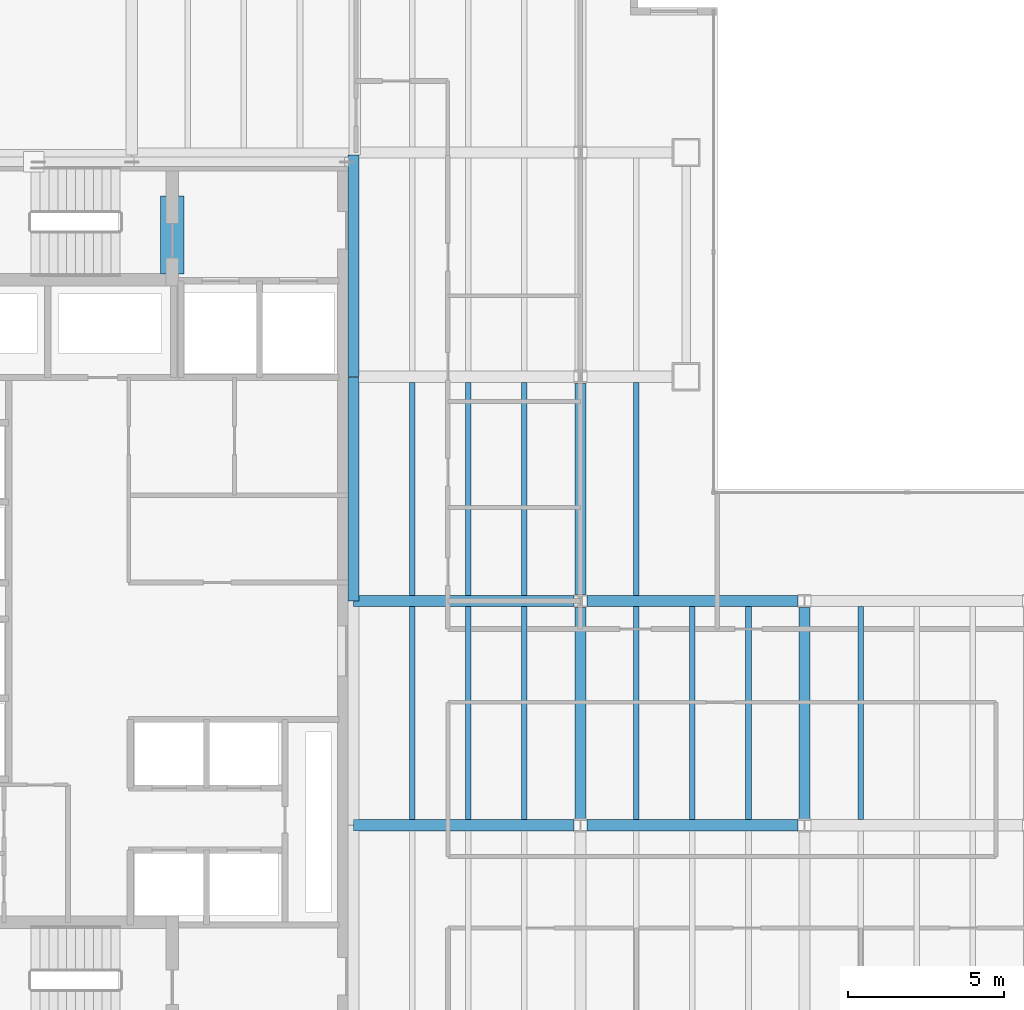
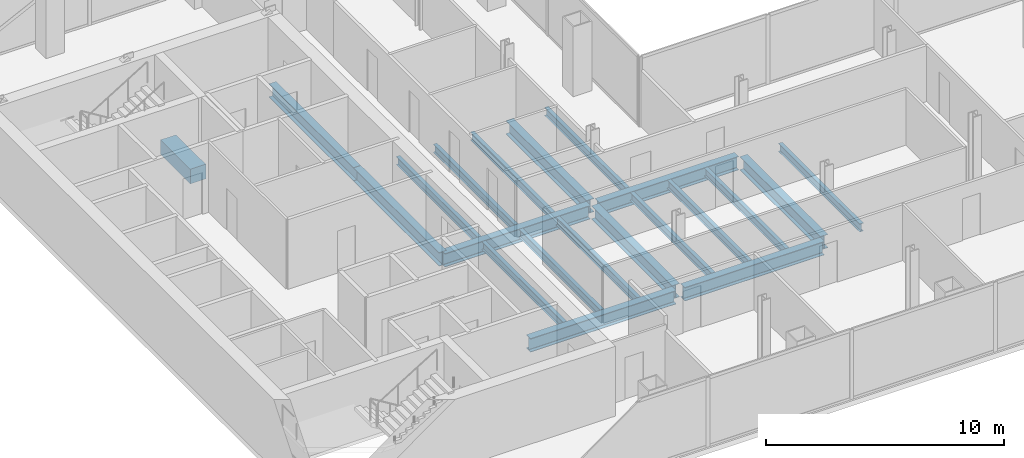
# One storey, part 6 of 24: 21 beams.
"""IFC4 building model written with IfcOpenShell, lengths in metres."""

from ifc_helpers import new_model, si_unit, direction, frame, origin, origin_2d, place, context, subcontext, project, spatial, rectangle, i_section, extrude, material, material_profile, profile_set, type_object, element, save


model = new_model("IFC4")

# Units and contexts
model_context = context("Model", 3, precision=1e-05, world=origin(), true_north=direction((0.0, 1.0)))
body_context = subcontext(model_context, "Body", "Model", "MODEL_VIEW")
ifc_project = project(units=[si_unit("LENGTHUNIT", "METRE"), si_unit("AREAUNIT", "SQUARE_METRE"), si_unit("VOLUMEUNIT", "CUBIC_METRE"), si_unit("PLANEANGLEUNIT", "RADIAN"), si_unit("MASSUNIT", "GRAM", prefix="KILO")], contexts=[model_context])

# Site, building, storey
site_placement = place(None, origin())
site = spatial("IfcSite", under=ifc_project, at=site_placement, CompositionType="ELEMENT")
building_placement = place(site_placement, origin())
building = spatial("IfcBuilding", under=site, at=building_placement, Name="Cobrela Telecom Tower", CompositionType="ELEMENT")
storey_placement = place(building_placement, frame((0.0, 0.0, 136.85009765625)))
storey = spatial("IfcBuildingStorey", under=building, at=storey_placement, Name="L34", CompositionType="ELEMENT", Elevation=136.85009765625)

# Beams
ifc_material_1 = material(Name="Concrete C40/50", Category="concrete")
ifc_material_profile_1 = material_profile(ifc_material_1, rectangle(XDim=0.75, YDim=0.75, at=origin_2d()), Name="RC 750x750")
ifc_profile_set_1 = profile_set([ifc_material_profile_1], Name="Concrete C40/50")
beam_type_1 = type_object("IfcBeamType", Name="BM-COUP-RC", PredefinedType="LINTEL", material=ifc_profile_set_1)
beam_1_placement = place(storey_placement, frame((8.5, 32.10009765625, -0.6201171875), z_axis=(0.0, 1.0, 0.0), x_axis=(-1.0, 0.0, 0.0)))
element("IfcBeam", 1, at=beam_1_placement, inside=storey, type_object=beam_type_1, Name="L34 Core Coupling Lintel Beam", PredefinedType="LINTEL", context=body_context, shape_type="SweptSolid", body=[
    extrude(rectangle(XDim=0.75, YDim=0.75, at=origin_2d()), origin(), (0.0, 0.0, 1.0), 2.5),
])
ifc_material_2 = material(Name="Steel ASTM A992 Grade 50", Category="steel")
ifc_material_profile_2 = material_profile(ifc_material_2, i_section(OverallWidth=0.35595703125, OverallDepth=0.696044921875, WebThickness=0.015380859375, FlangeThickness=0.024658203125, FilletRadius=0.01806640625, at=origin_2d()), Name="W27X146")
ifc_profile_set_2 = profile_set([ifc_material_profile_2], Name="Steel ASTM A992 Grade 50")
beam_type_2 = type_object("IfcBeamType", Name="BM-GIRD-05", PredefinedType="USERDEFINED", material=ifc_profile_set_2)
beam_2_placement = place(storey_placement, frame((14.324951171875, 14.39990234375, -0.6181640625), z_axis=(1.0, 0.0, 0.0), x_axis=(0.0, 1.0, 0.0)))
element("IfcBeam", 2, at=beam_2_placement, inside=storey, type_object=beam_type_2, Name="L34 Primary Girder X13", ObjectType="GIRDER", PredefinedType="USERDEFINED", context=body_context, shape_type="SweptSolid", body=[
    extrude(i_section(OverallWidth=0.35595703125, OverallDepth=0.696044921875, WebThickness=0.015380859375, FlangeThickness=0.024658203125, FilletRadius=0.01806640625, at=origin_2d()), origin(), (0.0, 0.0, 1.0), 7.0654296875),
])
beam_3_placement = place(storey_placement, frame((21.8095703125, 14.39990234375, -0.6181640625), z_axis=(1.0, 0.0, 0.0), x_axis=(0.0, 1.0, 0.0)))
element("IfcBeam", 3, at=beam_3_placement, inside=storey, type_object=beam_type_2, Name="L34 Primary Girder X14", ObjectType="GIRDER", PredefinedType="USERDEFINED", context=body_context, shape_type="SweptSolid", body=[
    extrude(i_section(OverallWidth=0.35595703125, OverallDepth=0.696044921875, WebThickness=0.015380859375, FlangeThickness=0.024658203125, FilletRadius=0.01806640625, at=origin_2d()), origin(), (0.0, 0.0, 1.0), 6.781005859375),
])
beam_4_placement = place(storey_placement, frame((14.324951171875, 21.60009765625, -0.6181640625), z_axis=(1.0, 0.0, 0.0), x_axis=(0.0, 1.0, 0.0)))
element("IfcBeam", 4, at=beam_4_placement, inside=storey, type_object=beam_type_2, Name="L34 Primary Girder X18", ObjectType="GIRDER", PredefinedType="USERDEFINED", context=body_context, shape_type="SweptSolid", body=[
    extrude(i_section(OverallWidth=0.35595703125, OverallDepth=0.696044921875, WebThickness=0.015380859375, FlangeThickness=0.024658203125, FilletRadius=0.01806640625, at=origin_2d()), origin(), (0.0, 0.0, 1.0), 7.0654296875),
])
beam_5_placement = place(storey_placement, frame((21.8095703125, 21.60009765625, -0.6181640625), z_axis=(1.0, 0.0, 0.0), x_axis=(0.0, 1.0, 0.0)))
element("IfcBeam", 5, at=beam_5_placement, inside=storey, type_object=beam_type_2, Name="L34 Primary Girder X19", ObjectType="GIRDER", PredefinedType="USERDEFINED", context=body_context, shape_type="SweptSolid", body=[
    extrude(i_section(OverallWidth=0.35595703125, OverallDepth=0.696044921875, WebThickness=0.015380859375, FlangeThickness=0.024658203125, FilletRadius=0.01806640625, at=origin_2d()), origin(), (0.0, 0.0, 1.0), 6.781005859375),
])
beam_6_placement = place(storey_placement, frame((14.320068359375, 21.60498046875, -0.6181640625), z_axis=(0.0, 1.0, 0.0), x_axis=(-1.0, 0.0, 0.0)))
element("IfcBeam", 6, at=beam_6_placement, inside=storey, type_object=beam_type_2, Name="L34 Primary Girder Y36", ObjectType="GIRDER", PredefinedType="USERDEFINED", context=body_context, shape_type="SweptSolid", body=[
    extrude(i_section(OverallWidth=0.35595703125, OverallDepth=0.696044921875, WebThickness=0.015380859375, FlangeThickness=0.024658203125, FilletRadius=0.01806640625, at=origin_2d()), origin(), (0.0, 0.0, 1.0), 7.18994140625),
])
beam_7_placement = place(storey_placement, frame((14.320068359375, 28.804931640625, -0.6181640625), z_axis=(0.0, 1.0, 0.0), x_axis=(-1.0, 0.0, 0.0)))
element("IfcBeam", 7, at=beam_7_placement, inside=storey, type_object=beam_type_2, Name="L34 Primary Girder Y37", ObjectType="GIRDER", PredefinedType="USERDEFINED", context=body_context, shape_type="SweptSolid", body=[
    extrude(i_section(OverallWidth=0.35595703125, OverallDepth=0.696044921875, WebThickness=0.015380859375, FlangeThickness=0.024658203125, FilletRadius=0.01806640625, at=origin_2d()), origin(), (0.0, 0.0, 1.0), 7.110107421875),
])
beam_8_placement = place(storey_placement, frame((21.60009765625, 14.609619140625, -0.6181640625), z_axis=(0.0, 1.0, 0.0), x_axis=(-1.0, 0.0, 0.0)))
element("IfcBeam", 8, at=beam_8_placement, inside=storey, type_object=beam_type_2, Name="L34 Primary Girder Y41", ObjectType="GIRDER", PredefinedType="USERDEFINED", context=body_context, shape_type="SweptSolid", body=[
    extrude(i_section(OverallWidth=0.35595703125, OverallDepth=0.696044921875, WebThickness=0.015380859375, FlangeThickness=0.024658203125, FilletRadius=0.01806640625, at=origin_2d()), origin(), (0.0, 0.0, 1.0), 6.78076171875),
])
beam_9_placement = place(storey_placement, frame((21.60009765625, 21.8095703125, -0.6181640625), z_axis=(0.0, 1.0, 0.0), x_axis=(-1.0, 0.0, 0.0)))
element("IfcBeam", 9, at=beam_9_placement, inside=storey, type_object=beam_type_2, Name="L34 Primary Girder Y42", ObjectType="GIRDER", PredefinedType="USERDEFINED", context=body_context, shape_type="SweptSolid", body=[
    extrude(i_section(OverallWidth=0.35595703125, OverallDepth=0.696044921875, WebThickness=0.015380859375, FlangeThickness=0.024658203125, FilletRadius=0.01806640625, at=origin_2d()), origin(), (0.0, 0.0, 1.0), 6.781005859375),
])
beam_10_placement = place(storey_placement, frame((28.800048828125, 14.609619140625, -0.6181640625), z_axis=(0.0, 1.0, 0.0), x_axis=(-1.0, 0.0, 0.0)))
element("IfcBeam", 10, at=beam_10_placement, inside=storey, type_object=beam_type_2, Name="L34 Primary Girder Y48", ObjectType="GIRDER", PredefinedType="USERDEFINED", context=body_context, shape_type="SweptSolid", body=[
    extrude(i_section(OverallWidth=0.35595703125, OverallDepth=0.696044921875, WebThickness=0.015380859375, FlangeThickness=0.024658203125, FilletRadius=0.01806640625, at=origin_2d()), origin(), (0.0, 0.0, 1.0), 6.78076171875),
])
ifc_material_profile_3 = material_profile(ifc_material_2, i_section(OverallWidth=0.179931640625, OverallDepth=0.4169921875, WebThickness=0.010986328125, FlangeThickness=0.01806640625, FilletRadius=0.011962890625, at=origin_2d()), Name="W16X57")
ifc_profile_set_3 = profile_set([ifc_material_profile_3], Name="Steel ASTM A992 Grade 50")
beam_type_3 = type_object("IfcBeamType", Name="BM-JOIST-04", PredefinedType="JOIST", material=ifc_profile_set_3)
for number, where, z_axis, x_axis, name in (
    (11, (16.199951171875, 14.5830078125, -0.478515625), (0.0, 1.0, 0.0), (-1.0, 0.0, 0.0), "L34 Secondary Composite Floor Beam J05"),
    (12, (16.199951171875, 21.782958984375, -0.478515625), (0.0, 1.0, 0.0), (-1.0, 0.0, 0.0), "L34 Secondary Composite Floor Beam J06"),
    (13, (18.0, 14.5830078125, -0.478515625), (0.0, 1.0, 0.0), (-1.0, 0.0, 0.0), "L34 Secondary Composite Floor Beam J10"),
    (14, (18.0, 21.782958984375, -0.478515625), (0.0, 1.0, 0.0), (-1.0, 0.0, 0.0), "L34 Secondary Composite Floor Beam J11"),
    (15, (19.800048828125, 14.5830078125, -0.478515625), (0.0, 1.0, 0.0), (-1.0, 0.0, 0.0), "L34 Secondary Composite Floor Beam J15"),
    (16, (19.800048828125, 21.782958984375, -0.478515625), (0.0, 1.0, 0.0), (-1.0, 0.0, 0.0), "L34 Secondary Composite Floor Beam J16"),
    (17, (23.39990234375, 14.5830078125, -0.478515625), (0.0, 1.0, 0.0), (-1.0, 0.0, 0.0), "L34 Secondary Composite Floor Beam J20"),
    (18, (23.39990234375, 21.782958984375, -0.478515625), (0.0, 1.0, 0.0), (-1.0, 0.0, 0.0), "L34 Secondary Composite Floor Beam J21"),
    (19, (25.199951171875, 14.5830078125, -0.478515625), (0.0, 1.0, 0.0), (-1.0, 0.0, 0.0), "L34 Secondary Composite Floor Beam J24"),
    (20, (27.0, 14.5830078125, -0.478515625), (0.0, 1.0, 0.0), (-1.0, 0.0, 0.0), "L34 Secondary Composite Floor Beam J26"),
    (21, (30.60009765625, 14.5830078125, -0.478515625), (0.0, 1.0, 0.0), (-1.0, 0.0, 0.0), "L34 Secondary Composite Floor Beam J28"),
):
    element("IfcBeam", number, at=place(storey_placement, frame(where, z_axis=z_axis, x_axis=x_axis)), inside=storey, type_object=beam_type_3, Name=name, PredefinedType="JOIST", context=body_context, shape_type="SweptSolid", body=[
        extrude(i_section(OverallWidth=0.179931640625, OverallDepth=0.4169921875, WebThickness=0.010986328125, FlangeThickness=0.01806640625, FilletRadius=0.011962890625, at=origin_2d()), origin(), (0.0, 0.0, 1.0), 6.833984375),
    ])

save(model, "model.ifc")
